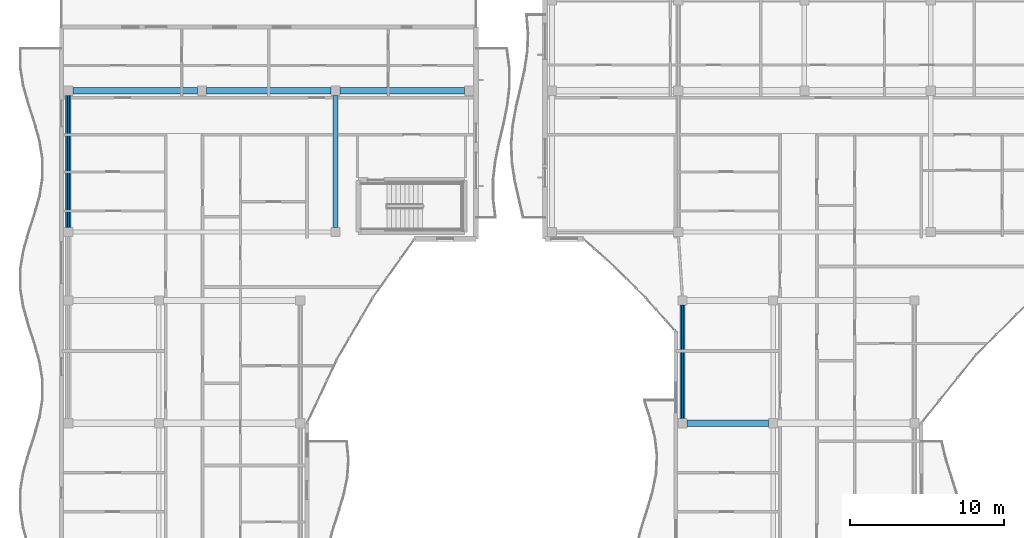
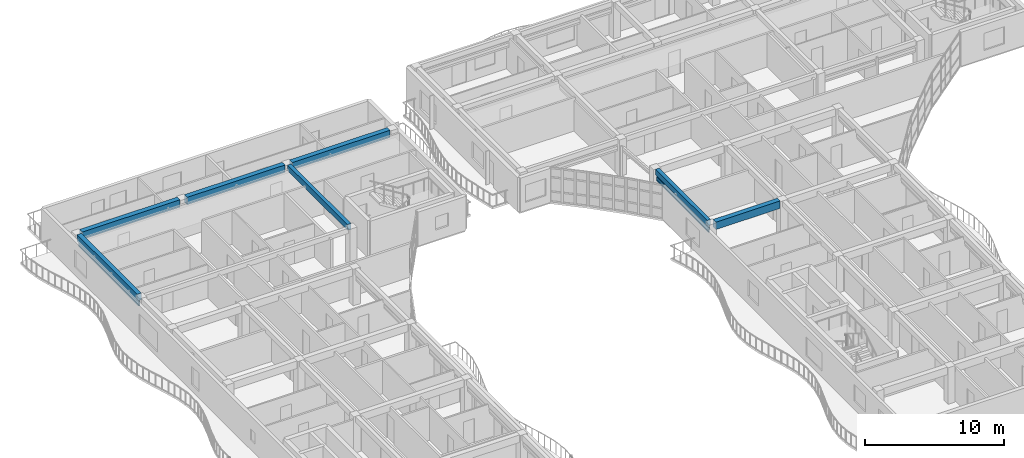
# One storey, part 3 of 71: 7 beams, 4 members.
"""IFC4 building model written with IfcOpenShell, lengths in metres."""

from ifc_helpers import new_model, si_unit, direction, frame, origin, origin_2d, place, context, subcontext, project, spatial, rectangle, hollow_rectangle, extrude, material, material_profile, profile_set, type_object, element, save


model = new_model("IFC4")

# Units and contexts
model_context = context("Model", 3, precision=1e-05, world=origin(), true_north=direction((0.0, 1.0)))
body_context = subcontext(model_context, "Body", "Model", "MODEL_VIEW")
ifc_project = project(units=[si_unit("LENGTHUNIT", "METRE"), si_unit("AREAUNIT", "SQUARE_METRE"), si_unit("VOLUMEUNIT", "CUBIC_METRE"), si_unit("PLANEANGLEUNIT", "RADIAN"), si_unit("MASSUNIT", "GRAM", prefix="KILO")], contexts=[model_context])

# Site, building, storey
site_placement = place(None, origin())
site = spatial("IfcSite", under=ifc_project, at=site_placement, CompositionType="ELEMENT")
building_placement = place(site_placement, origin())
building = spatial("IfcBuilding", under=site, at=building_placement, Name="Keldmere Railside Commons", CompositionType="ELEMENT")
storey_placement = place(building_placement, frame((0.0, 0.0, 20.159912109375)))
storey = spatial("IfcBuildingStorey", under=building, at=storey_placement, Name="L06", CompositionType="ELEMENT", Elevation=20.159912109375)

# Members
ifc_material_1 = material(Name="Steel F-36 (S355)", Category="steel")
ifc_material_profile_1 = material_profile(ifc_material_1, hollow_rectangle(XDim=0.14990234375, YDim=0.25, WallThickness=0.010009765625, at=origin_2d()), Name="RHS-250x150x10")
ifc_profile_set_1 = profile_set([ifc_material_profile_1], Name="Steel F-36 (S355)")
member_type_1 = type_object("IfcMemberType", Name="Balcony Continuous Planted Trough RHS250x150", PredefinedType="CHORD", material=ifc_profile_set_1)
member_1_placement = place(storey_placement, frame((8.449951171875, 100.75, 2.4150390625), z_axis=(0.0, 1.0, 0.0), x_axis=(-1.0, 0.0, 0.0)))
element("IfcMember", 1, at=member_1_placement, inside=storey, type_object=member_type_1, Name="PLT-1 MEM-BPLT-0683", PredefinedType="CHORD", context=body_context, shape_type="SweptSolid", body=[
    extrude(hollow_rectangle(XDim=0.14990234375, YDim=0.25, WallThickness=0.010009765625, at=origin_2d()), origin(), (0.0, 0.0, 1.0), 8.60009765625),
])
member_2_placement = place(storey_placement, frame((48.449951171875, 88.300048828125, 2.4150390625), z_axis=(0.0, 1.0, 0.0), x_axis=(-1.0, 0.0, 0.0)))
element("IfcMember", 2, at=member_2_placement, inside=storey, type_object=member_type_1, Name="PLT-1 MEM-BPLT-0707", PredefinedType="CHORD", context=body_context, shape_type="SweptSolid", body=[
    extrude(hollow_rectangle(XDim=0.14990234375, YDim=0.25, WallThickness=0.010009765625, at=origin_2d()), origin(), (0.0, 0.0, 1.0), 7.39990234375),
])

# Beams
ifc_material_2 = material(Name="Concrete H-30 (C30/37)", Category="concrete")
ifc_material_profile_2 = material_profile(ifc_material_2, rectangle(XDim=0.35009765625, YDim=0.60009765625, at=origin_2d()), Name="RC-350x600")
ifc_profile_set_2 = profile_set([ifc_material_profile_2], Name="Concrete H-30 (C30/37)")
beam_type_1 = type_object("IfcBeamType", Name="Residential Chord RC Beam 350x600", PredefinedType="BEAM", material=ifc_profile_set_2)
beam_1_placement = place(storey_placement, frame((8.449951171875, 100.75, 2.900146484375), z_axis=(0.0, 1.0, 0.0), x_axis=(-1.0, 0.0, 0.0)))
element("IfcBeam", 3, at=beam_1_placement, inside=storey, type_object=beam_type_1, Name="BG-4 BM-L06-1944", PredefinedType="BEAM", context=body_context, shape_type="SweptSolid", body=[
    extrude(rectangle(XDim=0.35009765625, YDim=0.60009765625, at=origin_2d()), origin(), (0.0, 0.0, 1.0), 8.60009765625),
])
ifc_material_profile_3 = material_profile(ifc_material_2, rectangle(XDim=0.39990234375, YDim=0.64990234375, at=origin_2d()), Name="RC-400x650")
ifc_profile_set_3 = profile_set([ifc_material_profile_3], Name="Concrete H-30 (C30/37)")
beam_type_2 = type_object("IfcBeamType", Name="Residential Spine RC Girder 400x650", PredefinedType="BEAM", material=ifc_profile_set_3)
beam_2_placement = place(storey_placement, frame((48.75, 88.0, 2.875), z_axis=(1.0, 0.0, 0.0), x_axis=(0.0, 1.0, 0.0)))
element("IfcBeam", 4, at=beam_2_placement, inside=storey, type_object=beam_type_2, Name="BG-3 BM-L06-1883", PredefinedType="BEAM", context=body_context, shape_type="SweptSolid", body=[
    extrude(rectangle(XDim=0.39990234375, YDim=0.64990234375, at=origin_2d()), origin(), (0.0, 0.0, 1.0), 5.300048828125),
])
for number, where, z_axis, x_axis, name in (
    (5, (8.75, 109.64990234375, 2.875), (1.0, 0.0, 0.0), (0.0, 1.0, 0.0), "BG-3 BM-L06-1907"),
    (6, (17.449951171875, 109.64990234375, 2.875), (1.0, 0.0, 0.0), (0.0, 1.0, 0.0), "BG-3 BM-L06-1908"),
    (7, (26.14990234375, 109.64990234375, 2.875), (1.0, 0.0, 0.0), (0.0, 1.0, 0.0), "BG-3 BM-L06-1909"),
):
    element("IfcBeam", number, at=place(storey_placement, frame(where, z_axis=z_axis, x_axis=x_axis)), inside=storey, type_object=beam_type_2, Name=name, PredefinedType="BEAM", context=body_context, shape_type="SweptSolid", body=[
        extrude(rectangle(XDim=0.39990234375, YDim=0.64990234375, at=origin_2d()), origin(), (0.0, 0.0, 1.0), 8.10009765625),
    ])
ifc_material_profile_4 = material_profile(ifc_material_2, rectangle(XDim=0.300048828125, YDim=0.5, at=origin_2d()), Name="RC-300x500")
ifc_profile_set_4 = profile_set([ifc_material_profile_4], Name="Concrete H-30 (C30/37)")
beam_type_3 = type_object("IfcBeamType", Name="Secondary Frame RC Beam 300x500", PredefinedType="BEAM", material=ifc_profile_set_4)
beam_3_placement = place(storey_placement, frame((25.85009765625, 100.75, 2.9501953125), z_axis=(0.0, 1.0, 0.0), x_axis=(-1.0, 0.0, 0.0)))
element("IfcBeam", 8, at=beam_3_placement, inside=storey, type_object=beam_type_3, Name="BG-5 BM-L06-1953", PredefinedType="BEAM", context=body_context, shape_type="SweptSolid", body=[
    extrude(rectangle(XDim=0.300048828125, YDim=0.5, at=origin_2d()), origin(), (0.0, 0.0, 1.0), 8.60009765625),
])
beam_4_placement = place(storey_placement, frame((48.449951171875, 88.300048828125, 2.9501953125), z_axis=(0.0, 1.0, 0.0), x_axis=(-1.0, 0.0, 0.0)))
element("IfcBeam", 9, at=beam_4_placement, inside=storey, type_object=beam_type_3, Name="BG-5 BM-L06-1958", PredefinedType="BEAM", context=body_context, shape_type="SweptSolid", body=[
    extrude(rectangle(XDim=0.300048828125, YDim=0.5, at=origin_2d()), origin(), (0.0, 0.0, 1.0), 7.39990234375),
])

# Members
ifc_material_profile_5 = material_profile(ifc_material_1, hollow_rectangle(XDim=0.10009765625, YDim=0.159912109375, WallThickness=0.008056640625, at=origin_2d()), Name="RHS-160x100x8")
ifc_profile_set_5 = profile_set([ifc_material_profile_5], Name="Steel F-36 (S355)")
member_type_2 = type_object("IfcMemberType", Name="Solar Brise-Soleil Louvre Fin RHS160x100", PredefinedType="STRUT", material=ifc_profile_set_5)
member_3_placement = place(storey_placement, frame((8.449951171875, 100.75, 2.2001953125), z_axis=(0.0, 1.0, 0.0), x_axis=(-1.0, 0.0, 0.0)))
element("IfcMember", 10, at=member_3_placement, inside=storey, type_object=member_type_2, Name="BSF-1 MEM-BSF-0684", PredefinedType="STRUT", context=body_context, shape_type="SweptSolid", body=[
    extrude(hollow_rectangle(XDim=0.10009765625, YDim=0.159912109375, WallThickness=0.008056640625, at=origin_2d()), origin(), (0.0, 0.0, 1.0), 8.60009765625),
])
member_4_placement = place(storey_placement, frame((48.449951171875, 88.300048828125, 2.2001953125), z_axis=(0.0, 1.0, 0.0), x_axis=(-1.0, 0.0, 0.0)))
element("IfcMember", 11, at=member_4_placement, inside=storey, type_object=member_type_2, Name="BSF-1 MEM-BSF-0708", PredefinedType="STRUT", context=body_context, shape_type="SweptSolid", body=[
    extrude(hollow_rectangle(XDim=0.10009765625, YDim=0.159912109375, WallThickness=0.008056640625, at=origin_2d()), origin(), (0.0, 0.0, 1.0), 7.39990234375),
])

save(model, "model.ifc")
